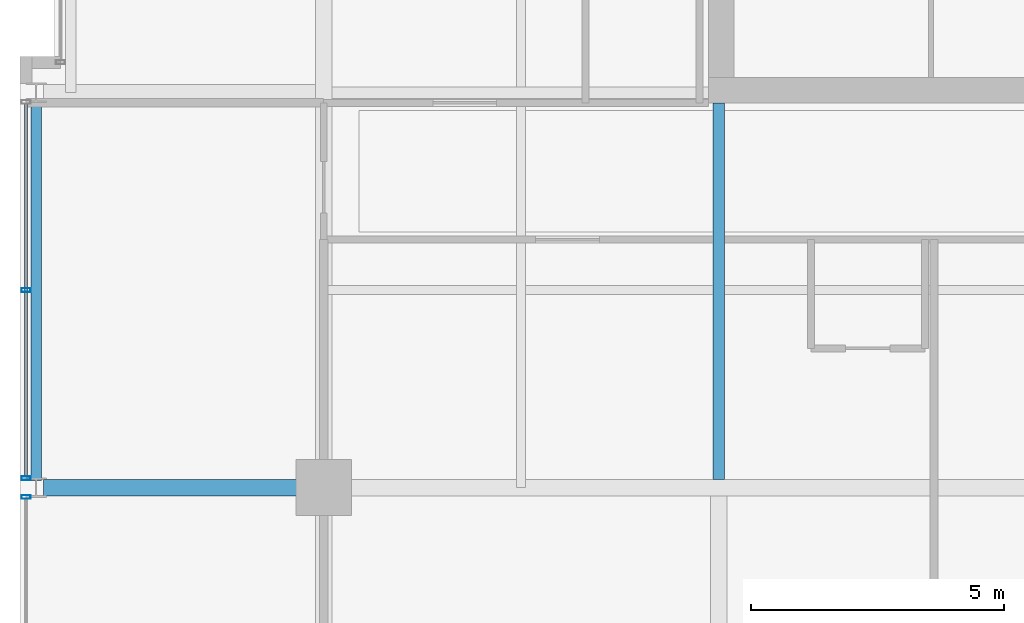
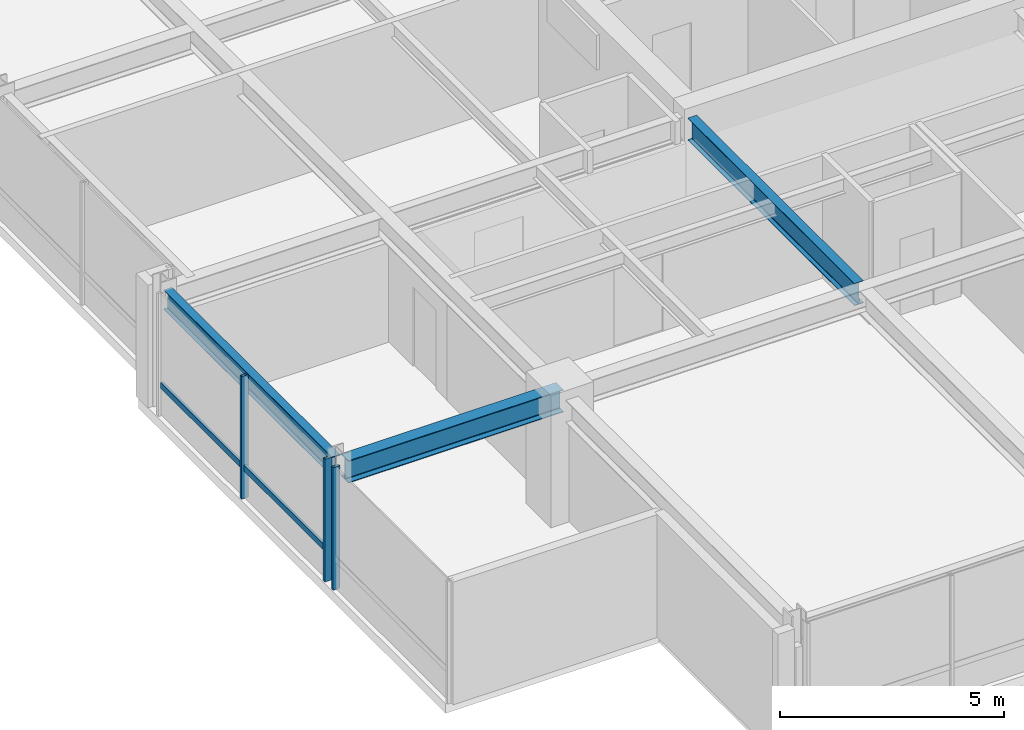
# One storey, part 4 of 30: 4 members, 3 beams, 2 elements without a shape of their own.
"""IFC4 building model written with IfcOpenShell, lengths in metres."""

from ifc_helpers import new_model, si_unit, direction, frame, origin, origin_2d, place, context, subcontext, project, spatial, hollow_rectangle, i_section, extrude, material, layer, layer_set, material_profile, profile_set, type_object, element, aggregate, save


model = new_model("IFC4")

# Units and contexts
model_context = context("Model", 3, precision=1e-05, world=origin(), true_north=direction((0.0, 1.0)))
body_context = subcontext(model_context, "Body", "Model", "MODEL_VIEW")
ifc_project = project(units=[si_unit("LENGTHUNIT", "METRE"), si_unit("AREAUNIT", "SQUARE_METRE"), si_unit("VOLUMEUNIT", "CUBIC_METRE"), si_unit("PLANEANGLEUNIT", "RADIAN"), si_unit("MASSUNIT", "GRAM", prefix="KILO")], contexts=[model_context])

# Site, building, storey
site_placement = place(None, origin())
site = spatial("IfcSite", under=ifc_project, at=site_placement, CompositionType="ELEMENT")
building_placement = place(site_placement, origin())
building = spatial("IfcBuilding", under=site, at=building_placement, Name="Drelvath Grand Hotel", CompositionType="ELEMENT")
storey_placement = place(building_placement, frame((0.0, 0.0, 215.89990234375)))
storey = spatial("IfcBuildingStorey", under=building, at=storey_placement, Name="L56", CompositionType="ELEMENT", Elevation=215.89990234375)

# Curtain wall, member
ifc_material_1 = material(Name="Platinum-Mist Anodised Aluminium Frame", Category="aluminium")
ifc_layer = layer(ifc_material_1, 0.199951171875)
ifc_layer_set = layer_set([ifc_layer], Name="Platinum-Mist Anodised Aluminium Frame")
curtain_wall_type = type_object("IfcCurtainWallType", Name="Stick Curtain Wall CW-05 Platinum Mist High-Rise", PredefinedType="NOTDEFINED", material=ifc_layer_set)
curtain_wall_1_placement = place(storey_placement, origin())
curtain_wall_1 = element("IfcCurtainWall", 1, at=curtain_wall_1_placement, inside=storey, type_object=curtain_wall_type, Name="L56 CW-05 Curtain Wall CW05-L56-WS2", PredefinedType="NOTDEFINED")
ifc_material_profile_1 = material_profile(ifc_material_1, hollow_rectangle(XDim=0.06494140625, YDim=0.159912109375, WallThickness=0.00390625, at=origin_2d()), Name="HSS160X65X4")
ifc_profile_set_1 = profile_set([ifc_material_profile_1], Name="Platinum-Mist Anodised Aluminium Frame")
member_type_1 = type_object("IfcMemberType", Name="Curtain Wall Horizontal Transom CW-05 HSS160X65X4", PredefinedType="USERDEFINED", material=ifc_profile_set_1)
member_1_placement = place(storey_placement, frame((-22.080078125, 11.025390625, 0.835205078125), z_axis=(0.0, 1.0, 0.0), x_axis=(-1.0, 0.0, 0.0)))
member_1 = element("IfcMember", 2, at=member_1_placement, type_object=member_type_1, Name="CW05-L56-WS2 Sill Transom", ObjectType="TRANSOM", PredefinedType="USERDEFINED", context=body_context, shape_type="SweptSolid", body=[
    extrude(hollow_rectangle(XDim=0.06494140625, YDim=0.159912109375, WallThickness=0.00390625, at=origin_2d()), origin(), (0.0, 0.0, 1.0), 7.349365234375),
])

curtain_wall_2_placement = place(storey_placement, origin())
curtain_wall_2 = element("IfcCurtainWall", 3, at=curtain_wall_2_placement, inside=storey, type_object=curtain_wall_type, Name="L56 CW-05 Curtain Wall CW05-L56-WS1", PredefinedType="NOTDEFINED")
ifc_material_profile_2 = material_profile(ifc_material_1, hollow_rectangle(XDim=0.074951171875, YDim=0.179931640625, WallThickness=0.0048828125, at=origin_2d()), Name="HSS180X75X5")
ifc_profile_set_2 = profile_set([ifc_material_profile_2], Name="Platinum-Mist Anodised Aluminium Frame")
member_type_2 = type_object("IfcMemberType", Name="Curtain Wall Vertical Mullion CW-05 HSS180X75X5", PredefinedType="MULLION", material=ifc_profile_set_2)
member_2_placement = place(storey_placement, frame((-22.080078125, 10.61474609375, 0.0), z_axis=(0.0, 0.0, 1.0), x_axis=(0.0, 1.0, 0.0)))
member_2 = element("IfcMember", 4, at=member_2_placement, type_object=member_type_2, Name="CW05-L56-WS1 Mullion 2", PredefinedType="MULLION", context=body_context, shape_type="SweptSolid", body=[
    extrude(hollow_rectangle(XDim=0.074951171875, YDim=0.179931640625, WallThickness=0.0048828125, at=origin_2d()), origin(), (0.0, 0.0, 1.0), 3.340087890625),
])
aggregate(curtain_wall_2, [member_2])

# Member
member_3_placement = place(storey_placement, frame((-22.080078125, 10.9853515625, 0.0), z_axis=(0.0, 0.0, 1.0), x_axis=(0.0, 1.0, 0.0)))
member_3 = element("IfcMember", 5, at=member_3_placement, type_object=member_type_2, Name="CW05-L56-WS2 Mullion 1", PredefinedType="MULLION", context=body_context, shape_type="SweptSolid", body=[
    extrude(hollow_rectangle(XDim=0.074951171875, YDim=0.179931640625, WallThickness=0.0048828125, at=origin_2d()), origin(), (0.0, 0.0, 1.0), 3.340087890625),
])

member_4_placement = place(storey_placement, frame((-22.080078125, 14.699951171875, 0.0), z_axis=(0.0, 0.0, 1.0), x_axis=(0.0, 1.0, 0.0)))
member_4 = element("IfcMember", 6, at=member_4_placement, type_object=member_type_2, Name="CW05-L56-WS2 Mullion 2", PredefinedType="MULLION", context=body_context, shape_type="SweptSolid", body=[
    extrude(hollow_rectangle(XDim=0.074951171875, YDim=0.179931640625, WallThickness=0.0048828125, at=origin_2d()), origin(), (0.0, 0.0, 1.0), 3.340087890625),
])

aggregate(curtain_wall_1, [member_3, member_4, member_1])

# Beams
ifc_material_2 = material(Name="Steel ASTM A992 Gr 50", Category="steel")
ifc_material_profile_3 = material_profile(ifc_material_2, i_section(OverallWidth=0.210205078125, OverallDepth=0.53662109375, WebThickness=0.010986328125, FlangeThickness=0.017333984375, FilletRadius=0.01806640625, at=origin_2d()), Name="W21X68")
ifc_profile_set_3 = profile_set([ifc_material_profile_3], Name="Steel ASTM A992 Gr 50")
beam_type_1 = type_object("IfcBeamType", Name="Perimeter Spandrel Beam W21X68", PredefinedType="SPANDREL", material=ifc_profile_set_3)
beam_1_placement = place(storey_placement, frame((-21.8798828125, 10.93994140625, 3.07177734375), z_axis=(0.0, 1.0, 0.0), x_axis=(-1.0, 0.0, 0.0)))
element("IfcBeam", 7, at=beam_1_placement, inside=storey, type_object=beam_type_1, Name="L56 Spandrel West S", PredefinedType="SPANDREL", context=body_context, shape_type="SweptSolid", body=[
    extrude(i_section(OverallWidth=0.210205078125, OverallDepth=0.53662109375, WebThickness=0.010986328125, FlangeThickness=0.017333984375, FilletRadius=0.01806640625, at=origin_2d()), origin(), (0.0, 0.0, 1.0), 7.52001953125),
])
ifc_material_profile_4 = material_profile(ifc_material_2, i_section(OverallWidth=0.323974609375, OverallDepth=0.611083984375, WebThickness=0.0126953125, FlangeThickness=0.01904296875, FilletRadius=0.02197265625, at=origin_2d()), Name="W24X104")
ifc_profile_set_4 = profile_set([ifc_material_profile_4], Name="Steel ASTM A992 Gr 50")
beam_type_2 = type_object("IfcBeamType", Name="Primary Floor Girder W24X104", PredefinedType="BEAM", material=ifc_profile_set_4)
beam_2_placement = place(storey_placement, frame((-21.739990234375, 10.800048828125, 3.034423828125), z_axis=(1.0, 0.0, 0.0), x_axis=(0.0, 1.0, 0.0)))
element("IfcBeam", 8, at=beam_2_placement, inside=storey, type_object=beam_type_2, Name="L56 West Grid Girder C", PredefinedType="BEAM", context=body_context, shape_type="SweptSolid", body=[
    extrude(i_section(OverallWidth=0.323974609375, OverallDepth=0.611083984375, WebThickness=0.0126953125, FlangeThickness=0.01904296875, FilletRadius=0.02197265625, at=origin_2d()), origin(), (0.0, 0.0, 1.0), 5.5400390625),
])
ifc_material_profile_5 = material_profile(ifc_material_2, i_section(OverallWidth=0.228271484375, OverallDepth=0.607666015625, WebThickness=0.01123046875, FlangeThickness=0.017333984375, FilletRadius=0.02001953125, at=origin_2d()), Name="W24X76")
ifc_profile_set_5 = profile_set([ifc_material_profile_5], Name="Steel ASTM A992 Gr 50")
beam_type_3 = type_object("IfcBeamType", Name="Primary Floor Girder W24X76", PredefinedType="BEAM", material=ifc_profile_set_5)
beam_3_placement = place(storey_placement, frame((-8.39990234375, 10.9619140625, 3.036376953125), z_axis=(0.0, 1.0, 0.0), x_axis=(-1.0, 0.0, 0.0)))
element("IfcBeam", 9, at=beam_3_placement, inside=storey, type_object=beam_type_3, Name="L56 South Core Tie 4", PredefinedType="BEAM", context=body_context, shape_type="SweptSolid", body=[
    extrude(i_section(OverallWidth=0.228271484375, OverallDepth=0.607666015625, WebThickness=0.01123046875, FlangeThickness=0.017333984375, FilletRadius=0.02001953125, at=origin_2d()), origin(), (0.0, 0.0, 1.0), 7.43798828125),
])

save(model, "model.ifc")
